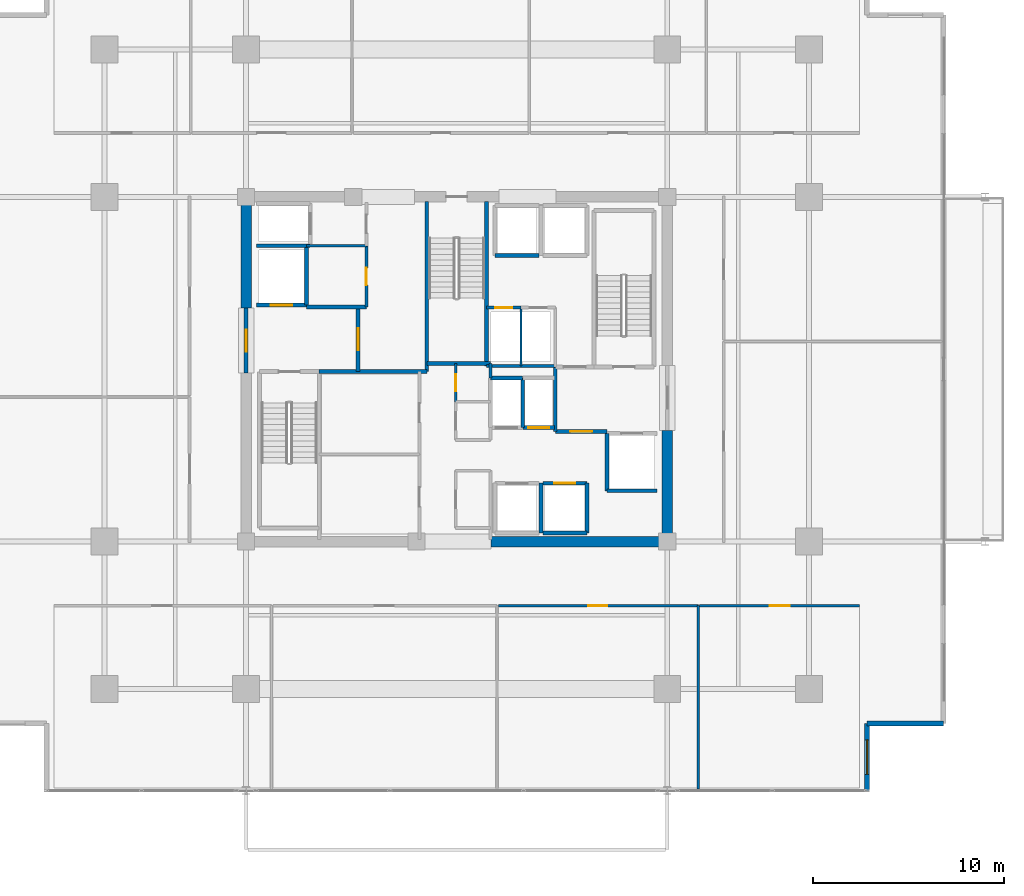
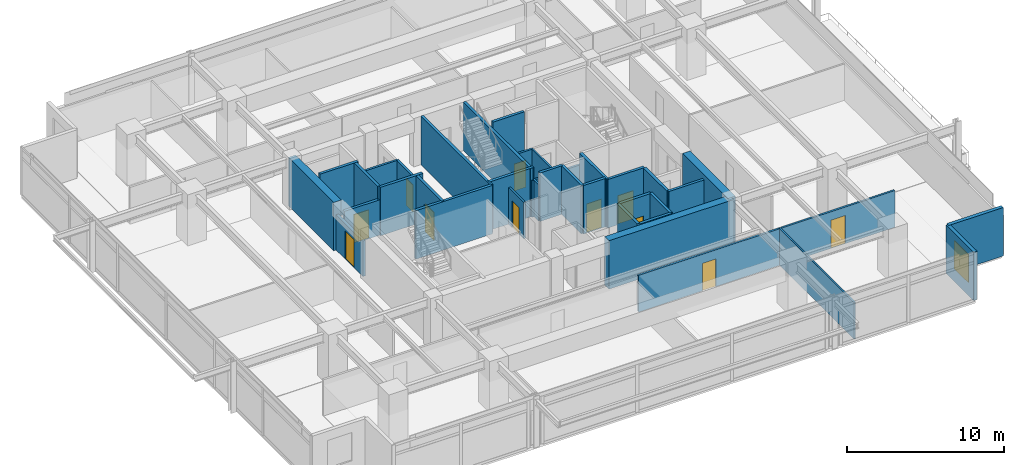
# One storey, part 15 of 21: 37 walls, 11 doors, 1 window, 12 openings.
"""IFC4 building model written with IfcOpenShell, lengths in metres."""

from ifc_helpers import new_model, si_unit, direction, frame, frame_2d, origin, place, context, subcontext, project, spatial, rectangle, extrude, material, layer, layer_set, type_object, element, fill, save


model = new_model("IFC4")

# Units and contexts
model_context = context("Model", 3, precision=1e-05, world=origin(), true_north=direction((0.0, 1.0)))
body_context = subcontext(model_context, "Body", "Model", "MODEL_VIEW")
ifc_project = project(units=[si_unit("LENGTHUNIT", "METRE"), si_unit("AREAUNIT", "SQUARE_METRE"), si_unit("VOLUMEUNIT", "CUBIC_METRE"), si_unit("PLANEANGLEUNIT", "RADIAN"), si_unit("MASSUNIT", "GRAM", prefix="KILO")], contexts=[model_context])

# Site, building, storey
site_placement = place(None, origin())
site = spatial("IfcSite", under=ifc_project, at=site_placement, CompositionType="ELEMENT")
building_placement = place(site_placement, origin())
building = spatial("IfcBuilding", under=site, at=building_placement, Name="Kovane Verandah Tower", CompositionType="ELEMENT")
storey_placement = place(building_placement, frame((0.0, 0.0, 217.199951171875)))
storey = spatial("IfcBuildingStorey", under=building, at=storey_placement, Name="L50", CompositionType="ELEMENT", Elevation=217.199951171875)

# Wall
ifc_material_1 = material(Name="Fire-Rated Gypsum Stud Partition", Category="gypsum")
ifc_layer_1 = layer(ifc_material_1, 0.14990234375)
ifc_layer_set_1 = layer_set([ifc_layer_1], Name="Fire-Rated Gypsum Stud Partition")
wall_type_1 = type_object("IfcWallType", Name="WL-COR-150", PredefinedType="PARTITIONING", material=ifc_layer_set_1)
wall_1_placement = place(storey_placement, frame((41.760009765625, 27.050048828125, 0.0), z_axis=(0.0, 0.0, 1.0), x_axis=(0.0, 1.0, 0.0)))
element("IfcWall", 1, at=wall_1_placement, inside=storey, type_object=wall_type_1, Name="L50 Central Core Strip Upper East Wall", PredefinedType="PARTITIONING", context=body_context, shape_type="SweptSolid", body=[
    extrude(rectangle(XDim=0.75, YDim=0.14990234375, at=frame_2d((0.375, 0.0))), origin(), (0.0, 0.0, 1.0), 2.85009765625),
])

# Wall, opening, door
wall_2_placement = place(storey_placement, frame((39.949951171875, 25.800048828125, 0.0), z_axis=(0.0, 0.0, 1.0), x_axis=(0.0, 1.0, 0.0)))
wall_2 = element("IfcWall", 2, at=wall_2_placement, inside=storey, type_object=wall_type_1, Name="L50 Electrical Riser Room Partition", PredefinedType="PARTITIONING", context=body_context, shape_type="SweptSolid", body=[
    extrude(rectangle(XDim=2.0, YDim=0.14990234375, at=frame_2d((1.0, 0.0))), origin(), (0.0, 0.0, 1.0), 2.85009765625),
])
opening_1_placement = place(wall_2_placement, frame((0.56005859375, 0.0, 0.0)))
opening_1 = element("IfcOpeningElement", 3, at=opening_1_placement, cuts=wall_2, Name="Opening DR-L50-027", PredefinedType="OPENING", context=body_context, shape_type="SweptSolid", body=[
    extrude(rectangle(XDim=0.8798828125, YDim=2.10009765625, at=frame_2d((0.43994140625, 1.050048828125))), frame((0.0, 0.074951171875, 0.0), z_axis=(0.0, -1.0, 0.0), x_axis=(1.0, 0.0, 0.0)), (0.0, 0.0, 1.0), 0.14990234375),
])
ifc_material_2 = material(Name="Fire-Rated Steel Riser Access Door", Category="steel")
door_type_1 = type_object("IfcDoorType", Name="DR-RISER-880", OperationType="SINGLE_SWING_LEFT", PredefinedType="DOOR", material=ifc_material_2)
door_1_placement = place(opening_1_placement, origin())
door_1 = element("IfcDoor", 4, at=door_1_placement, inside=storey, type_object=door_type_1, Name="L50 Electrical Riser Room Door", OperationType="SINGLE_SWING_LEFT", OverallHeight=2.10009765625, OverallWidth=0.8798828125, PredefinedType="DOOR", context=body_context, shape_type="SweptSolid", body=[
    extrude(rectangle(XDim=0.8798828125, YDim=2.10009765625, at=frame_2d((0.43994140625, 1.050048828125))), frame((0.0, 0.02490234375, 0.0), z_axis=(0.0, -1.0, 0.0), x_axis=(1.0, 0.0, 0.0)), (0.0, 0.0, 1.0), 0.050048828125),
])
fill(opening_1, door_1)

# Wall
wall_3_placement = place(storey_placement, frame((32.14990234375, 33.949951171875, 0.0), z_axis=(0.0, 0.0, 1.0), x_axis=(1.0, 0.0, 0.0)))
element("IfcWall", 5, at=wall_3_placement, inside=storey, type_object=wall_type_1, Name="L50 Goods Lift Lobby South Wall", PredefinedType="PARTITIONING", context=body_context, shape_type="SweptSolid", body=[
    extrude(rectangle(XDim=3.130126953125, YDim=0.14990234375, at=frame_2d((1.56494140625, 0.0))), origin(), (0.0, 0.0, 1.0), 2.85009765625),
])

# Wall, opening, door
wall_4_placement = place(storey_placement, frame((35.280029296875, 30.75, 0.0), z_axis=(0.0, 0.0, 1.0), x_axis=(0.0, 1.0, 0.0)))
wall_4 = element("IfcWall", 6, at=wall_4_placement, inside=storey, type_object=wall_type_1, Name="L50 Accessible Unisex Toilet Partition", PredefinedType="PARTITIONING", context=body_context, shape_type="SweptSolid", body=[
    extrude(rectangle(XDim=3.199951171875, YDim=0.14990234375, at=frame_2d((1.60009765625, 0.0))), origin(), (0.0, 0.0, 1.0), 2.85009765625),
])
opening_2_placement = place(wall_4_placement, frame((1.14990234375, 0.0, 0.0)))
opening_2 = element("IfcOpeningElement", 7, at=opening_2_placement, cuts=wall_4, Name="Opening DR-L50-028", PredefinedType="OPENING", context=body_context, shape_type="SweptSolid", body=[
    extrude(rectangle(XDim=0.89990234375, YDim=2.10009765625, at=frame_2d((0.449951171875, 1.050048828125))), frame((0.0, 0.074951171875, 0.0), z_axis=(0.0, -1.0, 0.0), x_axis=(1.0, 0.0, 0.0)), (0.0, 0.0, 1.0), 0.14990234375),
])
ifc_material_3 = material(Name="Moisture-Resistant Laminate Washroom Door", Category="wood")
door_type_2 = type_object("IfcDoorType", Name="DR-WC-900", OperationType="SINGLE_SWING_LEFT", PredefinedType="DOOR", material=ifc_material_3)
door_2_placement = place(opening_2_placement, origin())
door_2 = element("IfcDoor", 8, at=door_2_placement, inside=storey, type_object=door_type_2, Name="L50 Accessible Unisex Toilet Door", OperationType="SINGLE_SWING_LEFT", OverallHeight=2.10009765625, OverallWidth=0.89990234375, PredefinedType="DOOR", context=body_context, shape_type="SweptSolid", body=[
    extrude(rectangle(XDim=0.89990234375, YDim=2.10009765625, at=frame_2d((0.449951171875, 1.050048828125))), frame((0.0, 0.02490234375, 0.0), z_axis=(0.0, -1.0, 0.0), x_axis=(1.0, 0.0, 0.0)), (0.0, 0.0, 1.0), 0.050048828125),
])
fill(opening_2, door_2)

# Wall
wall_5_placement = place(storey_placement, frame((41.56005859375, 27.679931640625, 0.0), z_axis=(0.0, 0.0, 1.0), x_axis=(1.0, 0.0, 0.0)))
element("IfcWall", 9, at=wall_5_placement, inside=storey, type_object=wall_type_1, Name="L50 East Core Service Riser South Wall", PredefinedType="PARTITIONING", context=body_context, shape_type="SweptSolid", body=[
    extrude(rectangle(XDim=3.58984375, YDim=0.14990234375, at=frame_2d((1.794921875, 0.0))), origin(), (0.0, 0.0, 1.0), 2.85009765625),
])

# Wall, opening, door
wall_6_placement = place(storey_placement, frame((41.56005859375, 30.719970703125, 0.0), z_axis=(0.0, 0.0, 1.0), x_axis=(1.0, 0.0, 0.0)))
wall_6 = element("IfcWall", 10, at=wall_6_placement, inside=storey, type_object=wall_type_1, Name="L50 Chilled Water Riser Room Partition", PredefinedType="PARTITIONING", context=body_context, shape_type="SweptSolid", body=[
    extrude(rectangle(XDim=1.800048828125, YDim=0.14990234375, at=frame_2d((0.89990234375, 0.0))), origin(), (0.0, 0.0, 1.0), 2.85009765625),
])
opening_3_placement = place(wall_6_placement, frame((0.4599609375, 0.0, 0.0)))
opening_3 = element("IfcOpeningElement", 11, at=opening_3_placement, cuts=wall_6, Name="Opening DR-L50-016", PredefinedType="OPENING", context=body_context, shape_type="SweptSolid", body=[
    extrude(rectangle(XDim=0.8798828125, YDim=2.10009765625, at=frame_2d((0.43994140625, 1.050048828125))), frame((0.0, 0.074951171875, 0.0), z_axis=(0.0, -1.0, 0.0), x_axis=(1.0, 0.0, 0.0)), (0.0, 0.0, 1.0), 0.14990234375),
])
door_3_placement = place(opening_3_placement, origin())
door_3 = element("IfcDoor", 12, at=door_3_placement, inside=storey, type_object=door_type_1, Name="L50 Chilled Water Riser Room Door", OperationType="SINGLE_SWING_RIGHT", OverallHeight=2.10009765625, OverallWidth=0.8798828125, PredefinedType="DOOR", context=body_context, shape_type="SweptSolid", body=[
    extrude(rectangle(XDim=0.8798828125, YDim=2.10009765625, at=frame_2d((0.43994140625, 1.050048828125))), frame((0.0, 0.02490234375, 0.0), z_axis=(0.0, -1.0, 0.0), x_axis=(1.0, 0.0, 0.0)), (0.0, 0.0, 1.0), 0.050048828125),
])
fill(opening_3, door_3)

wall_7_placement = place(storey_placement, frame((42.173583984375, 15.14990234375, 0.0), z_axis=(0.0, 0.0, 1.0), x_axis=(1.0, 0.0, 0.0)))
wall_7 = element("IfcWall", 13, at=wall_7_placement, inside=storey, type_object=wall_type_1, Name="L50 Open Plan Office S3 Corridor Partition", PredefinedType="PARTITIONING", context=body_context, shape_type="SweptSolid", body=[
    extrude(rectangle(XDim=10.44873046875, YDim=0.14990234375, at=frame_2d((5.224365234375, 0.0))), origin(), (0.0, 0.0, 1.0), 2.85009765625),
])
opening_4_placement = place(wall_7_placement, frame((4.689453125, 0.0, 0.0)))
opening_4 = element("IfcOpeningElement", 14, at=opening_4_placement, cuts=wall_7, Name="Opening DR-L50-025", PredefinedType="OPENING", context=body_context, shape_type="SweptSolid", body=[
    extrude(rectangle(XDim=1.0, YDim=2.14990234375, at=frame_2d((0.5, 1.074951171875))), frame((0.0, 0.074951171875, 0.0), z_axis=(0.0, -1.0, 0.0), x_axis=(1.0, 0.0, 0.0)), (0.0, 0.0, 1.0), 0.14990234375),
])
ifc_material_4 = material(Name="FSC Spotted-Gum Timber Fire-Rated Office Door", Category="wood")
door_type_3 = type_object("IfcDoorType", Name="DR-OFF-1000", OperationType="SINGLE_SWING_LEFT", PredefinedType="DOOR", material=ifc_material_4)
door_4_placement = place(opening_4_placement, origin())
door_4 = element("IfcDoor", 15, at=door_4_placement, inside=storey, type_object=door_type_3, Name="L50 Open Plan Office S3 Entrance Door", OperationType="SINGLE_SWING_LEFT", OverallHeight=2.14990234375, OverallWidth=1.0, PredefinedType="DOOR", context=body_context, shape_type="SweptSolid", body=[
    extrude(rectangle(XDim=1.0, YDim=2.14990234375, at=frame_2d((0.5, 1.074951171875))), frame((0.0, 0.02490234375, 0.0), z_axis=(0.0, -1.0, 0.0), x_axis=(1.0, 0.0, 0.0)), (0.0, 0.0, 1.0), 0.050048828125),
])
fill(opening_4, door_4)

wall_8_placement = place(storey_placement, frame((52.6923828125, 15.14990234375, 0.0), z_axis=(0.0, 0.0, 1.0), x_axis=(1.0, 0.0, 0.0)))
wall_8 = element("IfcWall", 16, at=wall_8_placement, inside=storey, type_object=wall_type_1, Name="L50 Executive Office S4 Corridor Partition", PredefinedType="PARTITIONING", context=body_context, shape_type="SweptSolid", body=[
    extrude(rectangle(XDim=8.344970703125, YDim=0.14990234375, at=frame_2d((4.17236328125, 0.0))), origin(), (0.0, 0.0, 1.0), 2.85009765625),
])
opening_5_placement = place(wall_8_placement, frame((3.6474609375, 0.0, 0.0)))
opening_5 = element("IfcOpeningElement", 17, at=opening_5_placement, cuts=wall_8, Name="Opening DR-L50-026", PredefinedType="OPENING", context=body_context, shape_type="SweptSolid", body=[
    extrude(rectangle(XDim=1.050048828125, YDim=2.199951171875, at=frame_2d((0.52490234375, 1.10009765625))), frame((0.0, 0.074951171875, 0.0), z_axis=(0.0, -1.0, 0.0), x_axis=(1.0, 0.0, 0.0)), (0.0, 0.0, 1.0), 0.14990234375),
])
ifc_material_5 = material(Name="FSC Blackbutt Timber Fire-Rated Executive Door", Category="wood")
door_type_4 = type_object("IfcDoorType", Name="DR-EXEC-1050", OperationType="SINGLE_SWING_LEFT", PredefinedType="DOOR", material=ifc_material_5)
door_5_placement = place(opening_5_placement, origin())
door_5 = element("IfcDoor", 18, at=door_5_placement, inside=storey, type_object=door_type_4, Name="L50 Executive Office S4 Entrance Door", OperationType="SINGLE_SWING_RIGHT", OverallHeight=2.199951171875, OverallWidth=1.050048828125, PredefinedType="DOOR", context=body_context, shape_type="SweptSolid", body=[
    extrude(rectangle(XDim=1.050048828125, YDim=2.199951171875, at=frame_2d((0.52490234375, 1.10009765625))), frame((0.0, 0.02490234375, 0.0), z_axis=(0.0, -1.0, 0.0), x_axis=(1.0, 0.0, 0.0)), (0.0, 0.0, 1.0), 0.050048828125),
])
fill(opening_5, door_5)

# Walls
ifc_material_6 = material(Name="Concrete C60/75", Category="concrete")
ifc_layer_2 = layer(ifc_material_6, 0.550048828125)
ifc_layer_set_2 = layer_set([ifc_layer_2], Name="Concrete C60/75")
wall_type_2 = type_object("IfcWallType", Name="WL-CORE-550", PredefinedType="SHEAR", material=ifc_layer_set_2)
wall_9_placement = place(storey_placement, frame((41.800048828125, 18.5, 0.0), z_axis=(0.0, 0.0, 1.0), x_axis=(1.0, 0.0, 0.0)))
element("IfcWall", 19, at=wall_9_placement, inside=storey, type_object=wall_type_2, Name="L50 Core Shear Wall CS-2", PredefinedType="SHEAR", context=body_context, shape_type="SweptSolid", body=[
    extrude(rectangle(XDim=9.199951171875, YDim=0.550048828125, at=frame_2d((4.60009765625, 0.0))), origin(), (0.0, 0.0, 1.0), 3.775146484375),
])
for number, where, z_axis, x_axis, name in (
    (20, (29.0, 30.699951171875, 0.0), (0.0, 0.0, 1.0), (0.0, 1.0, 0.0), "L50 Core Shear Wall CW-2"),
    (21, (51.0, 18.5, 0.0), (0.0, 0.0, 1.0), (0.0, 1.0, 0.0), "L50 Core Shear Wall CE-1"),
):
    element("IfcWall", number, at=place(storey_placement, frame(where, z_axis=z_axis, x_axis=x_axis)), inside=storey, type_object=wall_type_2, Name=name, PredefinedType="SHEAR", context=body_context, shape_type="SweptSolid", body=[
        extrude(rectangle(XDim=5.800048828125, YDim=0.550048828125, at=frame_2d((2.89990234375, 0.0))), origin(), (0.0, 0.0, 1.0), 3.775146484375),
    ])

# Wall, opening, door
ifc_material_7 = material(Name="Concrete C45/55 Fire Wall", Category="concrete")
ifc_layer_3 = layer(ifc_material_7, 0.199951171875)
ifc_layer_set_3 = layer_set([ifc_layer_3], Name="Concrete C45/55 Fire Wall")
wall_type_3 = type_object("IfcWallType", Name="WL-FFL-200", PredefinedType="PARTITIONING", material=ifc_layer_set_3)
wall_10_placement = place(storey_placement, frame((34.85009765625, 27.3798828125, 0.0), z_axis=(0.0, 0.0, 1.0), x_axis=(0.0, 1.0, 0.0)))
wall_10 = element("IfcWall", 22, at=wall_10_placement, inside=storey, type_object=wall_type_3, Name="W-L50-FFLW-E", PredefinedType="PARTITIONING", context=body_context, shape_type="SweptSolid", body=[
    extrude(rectangle(XDim=3.3701171875, YDim=0.199951171875, at=frame_2d((1.68505859375, 0.0))), origin(), (0.0, 0.0, 1.0), 3.775146484375),
])
opening_6_placement = place(wall_10_placement, frame((1.110107421875, 0.0, 0.0)))
opening_6 = element("IfcOpeningElement", 23, at=opening_6_placement, cuts=wall_10, Name="Opening DR-L50-006", PredefinedType="OPENING", context=body_context, shape_type="SweptSolid", body=[
    extrude(rectangle(XDim=1.14990234375, YDim=2.199951171875, at=frame_2d((0.574951171875, 1.10009765625))), frame((0.0, 0.10009765625, 0.0), z_axis=(0.0, -1.0, 0.0), x_axis=(1.0, 0.0, 0.0)), (0.0, 0.0, 1.0), 0.199951171875),
])
ifc_material_8 = material(Name="Smoke-Sealed Firefighting Lobby Door", Category="steel")
door_type_5 = type_object("IfcDoorType", Name="DR-FFL-1150", OperationType="SINGLE_SWING_LEFT", PredefinedType="DOOR", material=ifc_material_8)
door_6_placement = place(opening_6_placement, origin())
door_6 = element("IfcDoor", 24, at=door_6_placement, inside=storey, type_object=door_type_5, Name="L50 West Firefighting Lobby Inner Door", OperationType="SINGLE_SWING_LEFT", OverallHeight=2.199951171875, OverallWidth=1.14990234375, PredefinedType="DOOR", context=body_context, shape_type="SweptSolid", body=[
    extrude(rectangle(XDim=1.14990234375, YDim=2.199951171875, at=frame_2d((0.574951171875, 1.10009765625))), frame((0.0, 0.02490234375, 0.0), z_axis=(0.0, -1.0, 0.0), x_axis=(1.0, 0.0, 0.0)), (0.0, 0.0, 1.0), 0.050048828125),
])
fill(opening_6, door_6)

wall_11_placement = place(storey_placement, frame((29.0, 27.300048828125, 0.0), z_axis=(0.0, 0.0, 1.0), x_axis=(0.0, 1.0, 0.0)))
wall_11 = element("IfcWall", 25, at=wall_11_placement, inside=storey, type_object=wall_type_3, Name="W-L50-FFLW-OUT", PredefinedType="PARTITIONING", context=body_context, shape_type="SweptSolid", body=[
    extrude(rectangle(XDim=3.39990234375, YDim=0.199951171875, at=frame_2d((1.699951171875, 0.0))), origin(), (0.0, 0.0, 1.0), 2.755126953125),
])
opening_7_placement = place(wall_11_placement, frame((1.125, 0.0, 0.0)))
opening_7 = element("IfcOpeningElement", 26, at=opening_7_placement, cuts=wall_11, Name="Opening DR-L50-007", PredefinedType="OPENING", context=body_context, shape_type="SweptSolid", body=[
    extrude(rectangle(XDim=1.14990234375, YDim=2.199951171875, at=frame_2d((0.574951171875, 1.10009765625))), frame((0.0, 0.10009765625, 0.0), z_axis=(0.0, -1.0, 0.0), x_axis=(1.0, 0.0, 0.0)), (0.0, 0.0, 1.0), 0.199951171875),
])
door_7_placement = place(opening_7_placement, origin())
door_7 = element("IfcDoor", 27, at=door_7_placement, inside=storey, type_object=door_type_5, Name="L50 West Firefighting Lobby Corridor Door", OperationType="SINGLE_SWING_RIGHT", OverallHeight=2.199951171875, OverallWidth=1.14990234375, PredefinedType="DOOR", context=body_context, shape_type="SweptSolid", body=[
    extrude(rectangle(XDim=1.14990234375, YDim=2.199951171875, at=frame_2d((0.574951171875, 1.10009765625))), frame((0.0, 0.02490234375, 0.0), z_axis=(0.0, -1.0, 0.0), x_axis=(1.0, 0.0, 0.0)), (0.0, 0.0, 1.0), 0.050048828125),
])
fill(opening_7, door_7)

# Walls
wall_12_placement = place(storey_placement, frame((32.820068359375, 27.3798828125, 0.0), z_axis=(0.0, 0.0, 1.0), x_axis=(1.0, 0.0, 0.0)))
element("IfcWall", 28, at=wall_12_placement, inside=storey, type_object=wall_type_3, Name="L50 West Firefighting Lobby South Fire Wall", PredefinedType="PARTITIONING", context=body_context, shape_type="SweptSolid", body=[
    extrude(rectangle(XDim=5.619873046875, YDim=0.199951171875, at=frame_2d((2.81005859375, 0.0))), origin(), (0.0, 0.0, 1.0), 3.775146484375),
])
wall_13_placement = place(storey_placement, frame((32.14990234375, 30.75, 0.0), z_axis=(0.0, 0.0, 1.0), x_axis=(1.0, 0.0, 0.0)))
element("IfcWall", 29, at=wall_13_placement, inside=storey, type_object=wall_type_3, Name="L50 West Firefighting Lobby North Fire Wall", PredefinedType="PARTITIONING", context=body_context, shape_type="SweptSolid", body=[
    extrude(rectangle(XDim=3.130126953125, YDim=0.199951171875, at=frame_2d((1.56494140625, 0.0))), origin(), (0.0, 0.0, 1.0), 3.775146484375),
])
wall_14_placement = place(storey_placement, frame((45.14990234375, 24.25, 0.0), z_axis=(0.0, 0.0, 1.0), x_axis=(0.0, 1.0, 0.0)))
element("IfcWall", 30, at=wall_14_placement, inside=storey, type_object=wall_type_3, Name="L50 East Firefighting Lobby West Fire Wall", PredefinedType="PARTITIONING", context=body_context, shape_type="SweptSolid", body=[
    extrude(rectangle(XDim=3.3701171875, YDim=0.199951171875, at=frame_2d((1.68505859375, 0.0))), origin(), (0.0, 0.0, 1.0), 3.775146484375),
])

# Wall, opening, door
wall_15_placement = place(storey_placement, frame((45.14990234375, 24.25, 0.0), z_axis=(0.0, 0.0, 1.0), x_axis=(1.0, 0.0, 0.0)))
wall_15 = element("IfcWall", 31, at=wall_15_placement, inside=storey, type_object=wall_type_3, Name="W-L50-FFLE-S", PredefinedType="PARTITIONING", context=body_context, shape_type="SweptSolid", body=[
    extrude(rectangle(XDim=2.7001953125, YDim=0.199951171875, at=frame_2d((1.35009765625, 0.0))), origin(), (0.0, 0.0, 1.0), 3.775146484375),
])
opening_8_placement = place(wall_15_placement, frame((0.77490234375, 0.0, 0.0)))
opening_8 = element("IfcOpeningElement", 32, at=opening_8_placement, cuts=wall_15, Name="Opening DR-L50-003", PredefinedType="OPENING", context=body_context, shape_type="SweptSolid", body=[
    extrude(rectangle(XDim=1.14990234375, YDim=2.199951171875, at=frame_2d((0.574951171875, 1.10009765625))), frame((0.0, 0.10009765625, 0.0), z_axis=(0.0, -1.0, 0.0), x_axis=(1.0, 0.0, 0.0)), (0.0, 0.0, 1.0), 0.199951171875),
])
door_8_placement = place(opening_8_placement, origin())
door_8 = element("IfcDoor", 33, at=door_8_placement, inside=storey, type_object=door_type_5, Name="L50 East Firefighting Lobby Inner Door", OperationType="SINGLE_SWING_RIGHT", OverallHeight=2.199951171875, OverallWidth=1.14990234375, PredefinedType="DOOR", context=body_context, shape_type="SweptSolid", body=[
    extrude(rectangle(XDim=1.14990234375, YDim=2.199951171875, at=frame_2d((0.574951171875, 1.10009765625))), frame((0.0, 0.02490234375, 0.0), z_axis=(0.0, -1.0, 0.0), x_axis=(1.0, 0.0, 0.0)), (0.0, 0.0, 1.0), 0.050048828125),
])
fill(opening_8, door_8)

ifc_material_9 = material(Name="Concrete C45/55 Lift Shaft Wall", Category="concrete")
ifc_layer_4 = layer(ifc_material_9, 0.199951171875)
ifc_layer_set_4 = layer_set([ifc_layer_4], Name="Concrete C45/55 Lift Shaft Wall")
wall_type_4 = type_object("IfcWallType", Name="WL-LIFT-200", PredefinedType="SOLIDWALL", material=ifc_layer_set_4)
wall_16_placement = place(storey_placement, frame((29.550048828125, 30.85009765625, 0.0), z_axis=(0.0, 0.0, 1.0), x_axis=(1.0, 0.0, 0.0)))
wall_16 = element("IfcWall", 34, at=wall_16_placement, inside=storey, type_object=wall_type_4, Name="L50 Lift FL-01 S Shaft Wall", PredefinedType="SOLIDWALL", context=body_context, shape_type="SweptSolid", body=[
    extrude(rectangle(XDim=2.599853515625, YDim=0.199951171875, at=frame_2d((1.2998046875, 0.0))), origin(), (0.0, 0.0, 1.0), 2.755126953125),
])
opening_9_placement = place(wall_16_placement, frame((0.75, 0.0, 0.0)))
opening_9 = element("IfcOpeningElement", 35, at=opening_9_placement, cuts=wall_16, Name="Opening LD-L50-001", PredefinedType="OPENING", context=body_context, shape_type="SweptSolid", body=[
    extrude(rectangle(XDim=1.10009765625, YDim=2.199951171875, at=frame_2d((0.550048828125, 1.10009765625))), frame((0.0, 0.10009765625, 0.0), z_axis=(0.0, -1.0, 0.0), x_axis=(1.0, 0.0, 0.0)), (0.0, 0.0, 1.0), 0.199951171875),
])
ifc_material_10 = material(Name="Brushed Stainless Steel Sliding Lift Landing Door", Category="steel")
door_type_6 = type_object("IfcDoorType", Name="DR-LIFT-1100", OperationType="SLIDING_TO_RIGHT", PredefinedType="DOOR", material=ifc_material_10)
door_9_placement = place(opening_9_placement, origin())
door_9 = element("IfcDoor", 36, at=door_9_placement, inside=storey, type_object=door_type_6, Name="L50 Lift FL-01 Sliding Landing Door", OperationType="SLIDING_TO_RIGHT", OverallHeight=2.199951171875, OverallWidth=1.10009765625, PredefinedType="DOOR", context=body_context, shape_type="SweptSolid", body=[
    extrude(rectangle(XDim=1.10009765625, YDim=2.199951171875, at=frame_2d((0.550048828125, 1.10009765625))), frame((0.0, 0.02490234375, 0.0), z_axis=(0.0, -1.0, 0.0), x_axis=(1.0, 0.0, 0.0)), (0.0, 0.0, 1.0), 0.050048828125),
])
fill(opening_9, door_9)

# Walls
wall_17_placement = place(storey_placement, frame((29.550048828125, 33.949951171875, 0.0), z_axis=(0.0, 0.0, 1.0), x_axis=(1.0, 0.0, 0.0)))
element("IfcWall", 37, at=wall_17_placement, inside=storey, type_object=wall_type_4, Name="L50 Lift FL-01 and GL-01 Shared Shaft Wall", PredefinedType="SOLIDWALL", context=body_context, shape_type="SweptSolid", body=[
    extrude(rectangle(XDim=2.800048828125, YDim=0.199951171875, at=frame_2d((1.39990234375, 0.0))), origin(), (0.0, 0.0, 1.0), 3.775146484375),
])
wall_18_placement = place(storey_placement, frame((32.14990234375, 30.85009765625, 0.0), z_axis=(0.0, 0.0, 1.0), x_axis=(0.0, 1.0, 0.0)))
element("IfcWall", 38, at=wall_18_placement, inside=storey, type_object=wall_type_4, Name="L50 Lift FL-01 E Shaft Wall", PredefinedType="SOLIDWALL", context=body_context, shape_type="SweptSolid", body=[
    extrude(rectangle(XDim=3.0, YDim=0.199951171875, at=frame_2d((1.5, 0.0))), origin(), (0.0, 0.0, 1.0), 3.775146484375),
])
wall_19_placement = place(storey_placement, frame((47.85009765625, 21.14990234375, 0.0), z_axis=(0.0, 0.0, 1.0), x_axis=(1.0, 0.0, 0.0)))
element("IfcWall", 39, at=wall_19_placement, inside=storey, type_object=wall_type_4, Name="L50 Lift FL-02 S Shaft Wall", PredefinedType="SOLIDWALL", context=body_context, shape_type="SweptSolid", body=[
    extrude(rectangle(XDim=2.599853515625, YDim=0.199951171875, at=frame_2d((1.2998046875, 0.0))), origin(), (0.0, 0.0, 1.0), 3.775146484375),
])
wall_20_placement = place(storey_placement, frame((47.85009765625, 24.14990234375, 0.0), z_axis=(0.0, 0.0, 1.0), x_axis=(0.0, -1.0, 0.0)))
element("IfcWall", 40, at=wall_20_placement, inside=storey, type_object=wall_type_4, Name="L50 Lift FL-02 W Shaft Wall", PredefinedType="SOLIDWALL", context=body_context, shape_type="SweptSolid", body=[
    extrude(rectangle(XDim=3.0, YDim=0.199951171875, at=frame_2d((1.5, 0.0))), origin(), (0.0, 0.0, 1.0), 3.775146484375),
])
wall_21_placement = place(storey_placement, frame((44.39990234375, 18.949951171875, 0.0), z_axis=(0.0, 0.0, 1.0), x_axis=(0.0, 1.0, 0.0)))
element("IfcWall", 41, at=wall_21_placement, inside=storey, type_object=wall_type_4, Name="L50 Lift PL-M1 and PL-M2 Shared Shaft Wall", PredefinedType="SOLIDWALL", context=body_context, shape_type="SweptSolid", body=[
    extrude(rectangle(XDim=2.60009765625, YDim=0.199951171875, at=frame_2d((1.300048828125, 0.0))), origin(), (0.0, 0.0, 1.0), 3.775146484375),
])
wall_22_placement = place(storey_placement, frame((44.5, 18.949951171875, 0.0), z_axis=(0.0, 0.0, 1.0), x_axis=(1.0, 0.0, 0.0)))
element("IfcWall", 42, at=wall_22_placement, inside=storey, type_object=wall_type_4, Name="L50 Lift PL-M2 S Shaft Wall", PredefinedType="SOLIDWALL", context=body_context, shape_type="SweptSolid", body=[
    extrude(rectangle(XDim=2.300048828125, YDim=0.199951171875, at=frame_2d((1.14990234375, 0.0))), origin(), (0.0, 0.0, 1.0), 3.775146484375),
])

# Wall, opening, door
wall_23_placement = place(storey_placement, frame((46.800048828125, 21.550048828125, 0.0), z_axis=(0.0, 0.0, 1.0), x_axis=(-1.0, 0.0, 0.0)))
wall_23 = element("IfcWall", 43, at=wall_23_placement, inside=storey, type_object=wall_type_4, Name="L50 Lift PL-M2 N Shaft Wall", PredefinedType="SOLIDWALL", context=body_context, shape_type="SweptSolid", body=[
    extrude(rectangle(XDim=2.300048828125, YDim=0.199951171875, at=frame_2d((1.14990234375, 0.0))), origin(), (0.0, 0.0, 1.0), 3.775146484375),
])
opening_10_placement = place(wall_23_placement, frame((0.60009765625, 0.0, 0.0)))
opening_10 = element("IfcOpeningElement", 44, at=opening_10_placement, cuts=wall_23, Name="Opening LD-L50-005", PredefinedType="OPENING", context=body_context, shape_type="SweptSolid", body=[
    extrude(rectangle(XDim=1.10009765625, YDim=2.199951171875, at=frame_2d((0.550048828125, 1.10009765625))), frame((0.0, 0.10009765625, 0.0), z_axis=(0.0, -1.0, 0.0), x_axis=(1.0, 0.0, 0.0)), (0.0, 0.0, 1.0), 0.199951171875),
])
door_10_placement = place(opening_10_placement, origin())
door_10 = element("IfcDoor", 45, at=door_10_placement, inside=storey, type_object=door_type_6, Name="L50 Lift PL-M2 Sliding Landing Door", OperationType="SLIDING_TO_RIGHT", OverallHeight=2.199951171875, OverallWidth=1.10009765625, PredefinedType="DOOR", context=body_context, shape_type="SweptSolid", body=[
    extrude(rectangle(XDim=1.10009765625, YDim=2.199951171875, at=frame_2d((0.550048828125, 1.10009765625))), frame((0.0, 0.02490234375, 0.0), z_axis=(0.0, -1.0, 0.0), x_axis=(1.0, 0.0, 0.0)), (0.0, 0.0, 1.0), 0.050048828125),
])
fill(opening_10, door_10)

# Walls
wall_24_placement = place(storey_placement, frame((46.800048828125, 18.949951171875, 0.0), z_axis=(0.0, 0.0, 1.0), x_axis=(0.0, 1.0, 0.0)))
element("IfcWall", 46, at=wall_24_placement, inside=storey, type_object=wall_type_4, Name="L50 Lift PL-M2 E Shaft Wall", PredefinedType="SOLIDWALL", context=body_context, shape_type="SweptSolid", body=[
    extrude(rectangle(XDim=2.60009765625, YDim=0.199951171875, at=frame_2d((1.300048828125, 0.0))), origin(), (0.0, 0.0, 1.0), 3.775146484375),
])
wall_25_placement = place(storey_placement, frame((43.43994140625, 27.050048828125, 0.0), z_axis=(0.0, 0.0, 1.0), x_axis=(-1.0, 0.0, 0.0)))
element("IfcWall", 47, at=wall_25_placement, inside=storey, type_object=wall_type_4, Name="L50 Lift PL-M3 N Shaft Wall", PredefinedType="SOLIDWALL", context=body_context, shape_type="SweptSolid", body=[
    extrude(rectangle(XDim=1.679931640625, YDim=0.199951171875, at=frame_2d((0.83984375, 0.0))), origin(), (0.0, 0.0, 1.0), 3.775146484375),
])
wall_26_placement = place(storey_placement, frame((43.449951171875, 24.449951171875, 0.0), z_axis=(0.0, 0.0, 1.0), x_axis=(0.0, 1.0, 0.0)))
element("IfcWall", 48, at=wall_26_placement, inside=storey, type_object=wall_type_4, Name="L50 Lift PL-M3 and PL-M4 Shared Shaft Wall", PredefinedType="SOLIDWALL", context=body_context, shape_type="SweptSolid", body=[
    extrude(rectangle(XDim=2.60009765625, YDim=0.199951171875, at=frame_2d((1.300048828125, 0.0))), origin(), (0.0, 0.0, 1.0), 3.775146484375),
])

# Wall, opening, door
wall_27_placement = place(storey_placement, frame((43.4599609375, 24.449951171875, 0.0), z_axis=(0.0, 0.0, 1.0), x_axis=(1.0, 0.0, 0.0)))
wall_27 = element("IfcWall", 49, at=wall_27_placement, inside=storey, type_object=wall_type_4, Name="L50 Lift PL-M4 S Shaft Wall", PredefinedType="SOLIDWALL", context=body_context, shape_type="SweptSolid", body=[
    extrude(rectangle(XDim=1.66015625, YDim=0.199951171875, at=frame_2d((0.830078125, 0.0))), origin(), (0.0, 0.0, 1.0), 3.775146484375),
])
opening_11_placement = place(wall_27_placement, frame((0.280029296875, 0.0, 0.0)))
opening_11 = element("IfcOpeningElement", 50, at=opening_11_placement, cuts=wall_27, Name="Opening LD-L50-007", PredefinedType="OPENING", context=body_context, shape_type="SweptSolid", body=[
    extrude(rectangle(XDim=1.10009765625, YDim=2.199951171875, at=frame_2d((0.550048828125, 1.10009765625))), frame((0.0, 0.10009765625, 0.0), z_axis=(0.0, -1.0, 0.0), x_axis=(1.0, 0.0, 0.0)), (0.0, 0.0, 1.0), 0.199951171875),
])
door_11_placement = place(opening_11_placement, origin())
door_11 = element("IfcDoor", 51, at=door_11_placement, inside=storey, type_object=door_type_6, Name="L50 Lift PL-M4 Sliding Landing Door", OperationType="SLIDING_TO_RIGHT", OverallHeight=2.199951171875, OverallWidth=1.10009765625, PredefinedType="DOOR", context=body_context, shape_type="SweptSolid", body=[
    extrude(rectangle(XDim=1.10009765625, YDim=2.199951171875, at=frame_2d((0.550048828125, 1.10009765625))), frame((0.0, 0.02490234375, 0.0), z_axis=(0.0, -1.0, 0.0), x_axis=(1.0, 0.0, 0.0)), (0.0, 0.0, 1.0), 0.050048828125),
])
fill(opening_11, door_11)

# Walls
wall_28_placement = place(storey_placement, frame((42.0, 33.449951171875, 0.0), z_axis=(0.0, 0.0, 1.0), x_axis=(1.0, 0.0, 0.0)))
element("IfcWall", 52, at=wall_28_placement, inside=storey, type_object=wall_type_4, Name="L50 Lift SL-01 S Shaft Wall", PredefinedType="SOLIDWALL", context=body_context, shape_type="SweptSolid", body=[
    extrude(rectangle(XDim=2.300048828125, YDim=0.199951171875, at=frame_2d((1.14990234375, 0.0))), origin(), (0.0, 0.0, 1.0), 3.775146484375),
])
ifc_material_11 = material(Name="Acoustic Fire-Rated Gypsum Partition", Category="gypsum")
ifc_layer_5 = layer(ifc_material_11, 0.1201171875)
ifc_layer_set_5 = layer_set([ifc_layer_5], Name="Acoustic Fire-Rated Gypsum Partition")
wall_type_5 = type_object("IfcWallType", Name="WL-PART-120", PredefinedType="PARTITIONING", material=ifc_layer_set_5)
wall_29_placement = place(storey_placement, frame((43.360107421875, 27.679931640625, 0.0), z_axis=(0.0, 0.0, 1.0), x_axis=(0.0, 1.0, 0.0)))
element("IfcWall", 53, at=wall_29_placement, inside=storey, type_object=wall_type_5, Name="L50 Service Riser Dividing Partition", PredefinedType="PARTITIONING", context=body_context, shape_type="SweptSolid", body=[
    extrude(rectangle(XDim=3.0400390625, YDim=0.1201171875, at=frame_2d((1.52001953125, 0.0))), origin(), (0.0, 0.0, 1.0), 2.85009765625),
])
wall_30_placement = place(storey_placement, frame((52.622314453125, 5.585693359375, 0.0), z_axis=(0.0, 0.0, 1.0), x_axis=(0.0, 1.0, 0.0)))
element("IfcWall", 54, at=wall_30_placement, inside=storey, type_object=wall_type_5, Name="L50 Open Plan Office S3 Dividing Partition", PredefinedType="PARTITIONING", context=body_context, shape_type="SweptSolid", body=[
    extrude(rectangle(XDim=9.564208984375, YDim=0.1201171875, at=frame_2d((4.7822265625, 0.0))), origin(), (0.0, 0.0, 1.0), 2.85009765625),
])
ifc_material_12 = material(Name="Concrete C45/55", Category="concrete")
ifc_layer_6 = layer(ifc_material_12, 0.199951171875)
ifc_layer_set_6 = layer_set([ifc_layer_6], Name="Concrete C45/55")
wall_type_6 = type_object("IfcWallType", Name="WL-SHAFT-200", PredefinedType="SOLIDWALL", material=ifc_layer_set_6)
wall_31_placement = place(storey_placement, frame((38.43994140625, 27.3798828125, 0.0), z_axis=(0.0, 0.0, 1.0), x_axis=(0.0, 1.0, 0.0)))
element("IfcWall", 55, at=wall_31_placement, inside=storey, type_object=wall_type_6, Name="W-L50-ST03-W", PredefinedType="SOLIDWALL", context=body_context, shape_type="SweptSolid", body=[
    extrude(rectangle(XDim=8.8701171875, YDim=0.199951171875, at=frame_2d((4.43505859375, 0.0))), origin(), (0.0, 0.0, 1.0), 3.775146484375),
])
wall_32_placement = place(storey_placement, frame((41.56005859375, 27.679931640625, 0.0), z_axis=(0.0, 0.0, 1.0), x_axis=(0.0, 1.0, 0.0)))
element("IfcWall", 56, at=wall_32_placement, inside=storey, type_object=wall_type_6, Name="W-L50-ST03-E", PredefinedType="SOLIDWALL", context=body_context, shape_type="SweptSolid", body=[
    extrude(rectangle(XDim=8.570068359375, YDim=0.199951171875, at=frame_2d((4.28515625, 0.0))), origin(), (0.0, 0.0, 1.0), 3.775146484375),
])
wall_33_placement = place(storey_placement, frame((38.43994140625, 27.800048828125, 0.0), z_axis=(0.0, 0.0, 1.0), x_axis=(1.0, 0.0, 0.0)))
element("IfcWall", 57, at=wall_33_placement, inside=storey, type_object=wall_type_6, Name="W-L50-ST03-S", PredefinedType="SOLIDWALL", context=body_context, shape_type="SweptSolid", body=[
    extrude(rectangle(XDim=3.320068359375, YDim=0.199951171875, at=frame_2d((1.66015625, 0.0))), origin(), (0.0, 0.0, 1.0), 3.775146484375),
])

# Wall, opening, window
ifc_material_13 = material(Name="Concrete C45/55 Insulated Spandrel Wall", Category="concrete")
ifc_layer_7 = layer(ifc_material_13, 0.260009765625)
ifc_layer_set_7 = layer_set([ifc_layer_7], Name="Concrete C45/55 Insulated Spandrel Wall")
wall_type_7 = type_object("IfcWallType", Name="WL-SPANDREL-260", PredefinedType="PARAPET", material=ifc_layer_set_7)
wall_34_placement = place(storey_placement, frame((61.4375, 5.485595703125, 0.0), z_axis=(0.0, 0.0, 1.0), x_axis=(0.0, 1.0, 0.0)))
wall_34 = element("IfcWall", 58, at=wall_34_placement, inside=storey, type_object=wall_type_7, Name="L50 SE Notch Cheek Wall 1", PredefinedType="PARAPET", context=body_context, shape_type="SweptSolid", body=[
    extrude(rectangle(XDim=3.5, YDim=0.260009765625, at=frame_2d((1.75, 0.0))), origin(), (0.0, 0.0, 1.0), 3.775146484375),
])
opening_12_placement = place(wall_34_placement, frame((0.85009765625, 0.0, 0.85009765625)))
opening_12 = element("IfcOpeningElement", 59, at=opening_12_placement, cuts=wall_34, Name="Opening W-03", PredefinedType="OPENING", context=body_context, shape_type="SweptSolid", body=[
    extrude(rectangle(XDim=1.800048828125, YDim=2.199951171875, at=frame_2d((0.89990234375, 1.10009765625))), frame((0.0, 0.1298828125, 0.0), z_axis=(0.0, -1.0, 0.0), x_axis=(1.0, 0.0, 0.0)), (0.0, 0.0, 1.0), 0.260009765625),
])
ifc_material_14 = material(Name="Clear Low-E Laminated Double Glazing in Anodised Frame", Category="glass")
window_type = type_object("IfcWindowType", Name="WN-NOTCH-1800x2200", PartitioningType="SINGLE_PANEL", PredefinedType="WINDOW", material=ifc_material_14)
window_placement = place(opening_12_placement, origin())
window = element("IfcWindow", 60, at=window_placement, inside=storey, type_object=window_type, Name="L50 SE Re-Entrant Corner Operable Window", OverallHeight=2.199951171875, OverallWidth=1.800048828125, PartitioningType="SINGLE_PANEL", PredefinedType="WINDOW", context=body_context, shape_type="SweptSolid", body=[
    extrude(rectangle(XDim=1.800048828125, YDim=2.199951171875, at=frame_2d((0.89990234375, 1.10009765625))), frame((0.0, 0.030029296875, 0.0), z_axis=(0.0, -1.0, 0.0), x_axis=(1.0, 0.0, 0.0)), (0.0, 0.0, 1.0), 0.06005859375),
])
fill(opening_12, window)

# Wall
wall_35_placement = place(storey_placement, frame((61.4375, 8.985595703125, 0.0), z_axis=(0.0, 0.0, 1.0), x_axis=(1.0, 0.0, 0.0)))
element("IfcWall", 61, at=wall_35_placement, inside=storey, type_object=wall_type_7, Name="L50 SE Notch Cheek Wall 2", PredefinedType="PARAPET", context=body_context, shape_type="SweptSolid", body=[
    extrude(rectangle(XDim=4.0, YDim=0.260009765625, at=frame_2d((2.0, 0.0))), origin(), (0.0, 0.0, 1.0), 3.775146484375),
])

save(model, "model.ifc")
